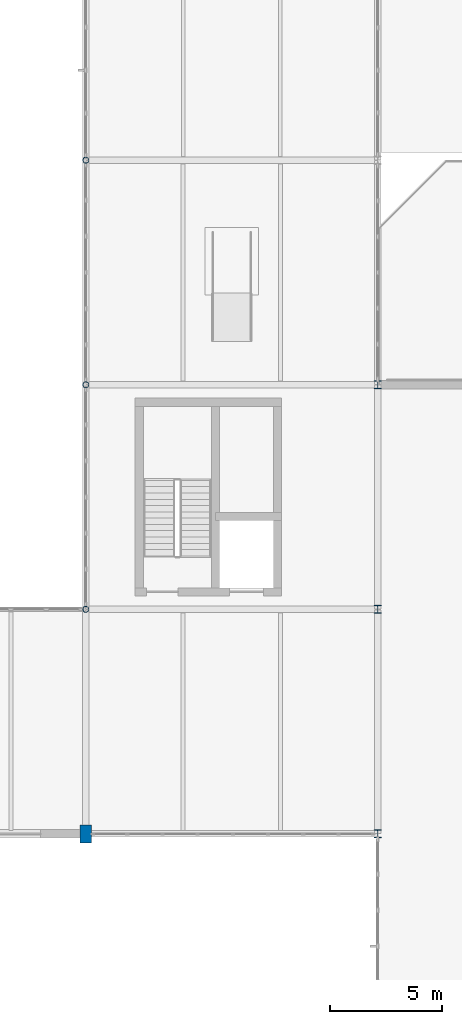
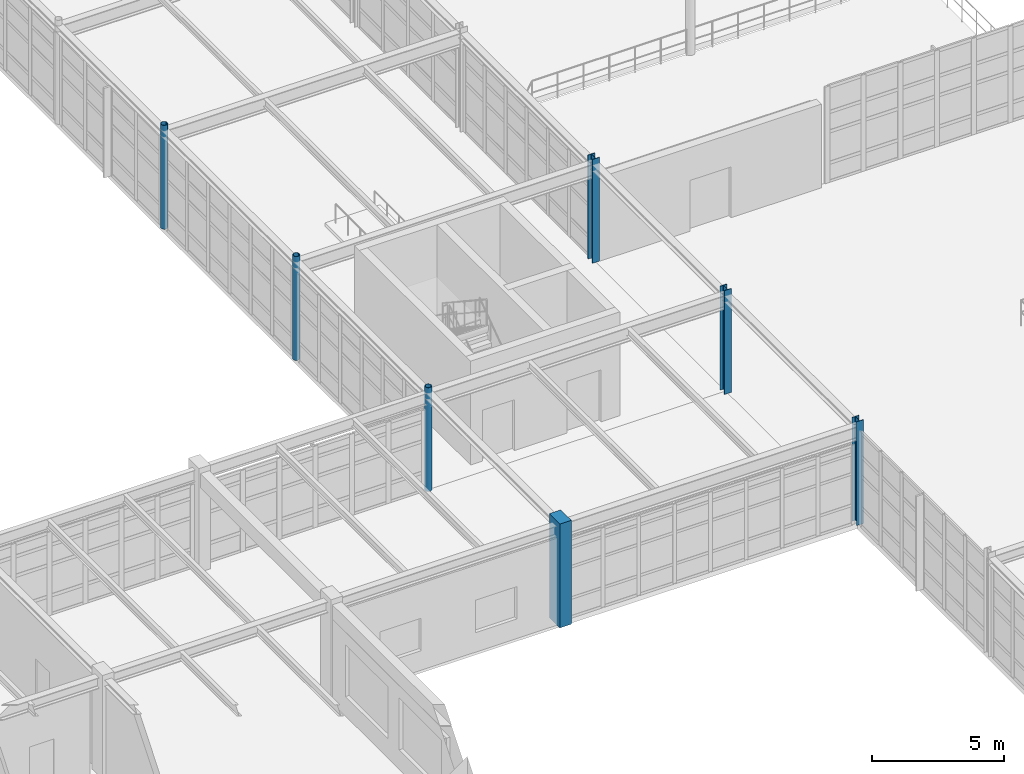
# One storey, part 12 of 139: 7 columns.
"""IFC4 building model written with IfcOpenShell, lengths in metres."""

from ifc_helpers import new_model, si_unit, direction, frame, origin, origin_2d, place, context, subcontext, project, spatial, rectangle, hollow_circle, i_section, extrude, material, material_profile, profile_set, type_object, element, save


model = new_model("IFC4")

# Units and contexts
model_context = context("Model", 3, precision=1e-05, world=origin(), true_north=direction((0.0, 1.0)))
body_context = subcontext(model_context, "Body", "Model", "MODEL_VIEW")
ifc_project = project(units=[si_unit("LENGTHUNIT", "METRE"), si_unit("AREAUNIT", "SQUARE_METRE"), si_unit("VOLUMEUNIT", "CUBIC_METRE"), si_unit("PLANEANGLEUNIT", "RADIAN"), si_unit("MASSUNIT", "GRAM", prefix="KILO"), si_unit("THERMODYNAMICTEMPERATUREUNIT", "KELVIN"), si_unit("POWERUNIT", "WATT")], contexts=[model_context])

# Site, building, storey
site_placement = place(None, origin())
site = spatial("IfcSite", under=ifc_project, at=site_placement, CompositionType="ELEMENT")
building_placement = place(site_placement, origin())
building = spatial("IfcBuilding", under=site, at=building_placement, Name="Korenveer Ferry Terminal", CompositionType="ELEMENT")
storey_placement = place(building_placement, frame((0.0, 0.0, 5.39990234375)))
storey = spatial("IfcBuildingStorey", under=building, at=storey_placement, Name="L01", CompositionType="ELEMENT", Elevation=5.39990234375)

# Columns
ifc_material_1 = material(Name="Steel S355", Category="steel")
ifc_material_profile_1 = material_profile(ifc_material_1, hollow_circle(Radius=0.136474609375, WallThickness=0.012451171875, at=origin_2d()), Name="CHS 273x12.5")
ifc_profile_set_1 = profile_set([ifc_material_profile_1], Name="Steel S355")
column_type_1 = type_object("IfcColumnType", Name="STR-COL-CHS273", PredefinedType="COLUMN", material=ifc_profile_set_1)
for number, where, z_axis, x_axis, name in (
    (1, (40.0, 80.0, 0.0), (0.0, 0.0, 1.0), (1.0, 0.0, 0.0), "Column COL-L01-X40-Y80"),
    (2, (40.0, 90.0, 0.0), (0.0, 0.0, 1.0), (1.0, 0.0, 0.0), "Column COL-L01-X40-Y90"),
    (3, (40.0, 100.0, 0.0), (0.0, 0.0, 1.0), (1.0, 0.0, 0.0), "Column COL-L01-X40-Y100"),
):
    element("IfcColumn", number, at=place(storey_placement, frame(where, z_axis=z_axis, x_axis=x_axis)), inside=storey, type_object=column_type_1, Name=name, PredefinedType="COLUMN", context=body_context, shape_type="SweptSolid", body=[
        extrude(hollow_circle(Radius=0.136474609375, WallThickness=0.012451171875, at=origin_2d()), origin(), (0.0, 0.0, 1.0), 4.800048828125),
    ])
ifc_material_profile_2 = material_profile(ifc_material_1, i_section(OverallWidth=0.300048828125, OverallDepth=0.360107421875, WebThickness=0.012451171875, FlangeThickness=0.0224609375, FilletRadius=0.027099609375, at=origin_2d()), Name="HEB 360")
ifc_profile_set_2 = profile_set([ifc_material_profile_2], Name="Steel S355")
column_type_2 = type_object("IfcColumnType", Name="STR-COL-HEB360", PredefinedType="COLUMN", material=ifc_profile_set_2)
for number, where, z_axis, x_axis, name in (
    (4, (53.0, 70.0, 0.0), (0.0, 0.0, 1.0), (1.0, 0.0, 0.0), "Column COL-L01-X53-Y70"),
    (5, (53.0, 80.0, 0.0), (0.0, 0.0, 1.0), (1.0, 0.0, 0.0), "Column COL-L01-X53-Y80"),
    (6, (53.0, 90.0, 0.0), (0.0, 0.0, 1.0), (1.0, 0.0, 0.0), "Column COL-L01-X53-Y90"),
):
    element("IfcColumn", number, at=place(storey_placement, frame(where, z_axis=z_axis, x_axis=x_axis)), inside=storey, type_object=column_type_2, Name=name, PredefinedType="COLUMN", context=body_context, shape_type="SweptSolid", body=[
        extrude(i_section(OverallWidth=0.300048828125, OverallDepth=0.360107421875, WebThickness=0.012451171875, FlangeThickness=0.0224609375, FilletRadius=0.027099609375, at=origin_2d()), origin(), (0.0, 0.0, 1.0), 4.800048828125),
    ])
ifc_material_2 = material(Name="Concrete C45/55", Category="concrete")
ifc_material_profile_3 = material_profile(ifc_material_2, rectangle(XDim=0.5, YDim=0.800048828125, at=origin_2d()), Name="RC 500x800")
ifc_profile_set_3 = profile_set([ifc_material_profile_3], Name="Concrete C45/55")
column_type_3 = type_object("IfcColumnType", Name="STR-COL-RC500X800", PredefinedType="COLUMN", material=ifc_profile_set_3)
column_placement = place(storey_placement, frame((40.0, 70.0, 0.0), z_axis=(0.0, 0.0, 1.0), x_axis=(1.0, 0.0, 0.0)))
element("IfcColumn", 7, at=column_placement, inside=storey, type_object=column_type_3, Name="Column COL-L01-X40-Y70", PredefinedType="COLUMN", context=body_context, shape_type="SweptSolid", body=[
    extrude(rectangle(XDim=0.5, YDim=0.800048828125, at=origin_2d()), origin(), (0.0, 0.0, 1.0), 4.800048828125),
])

save(model, "model.ifc")
